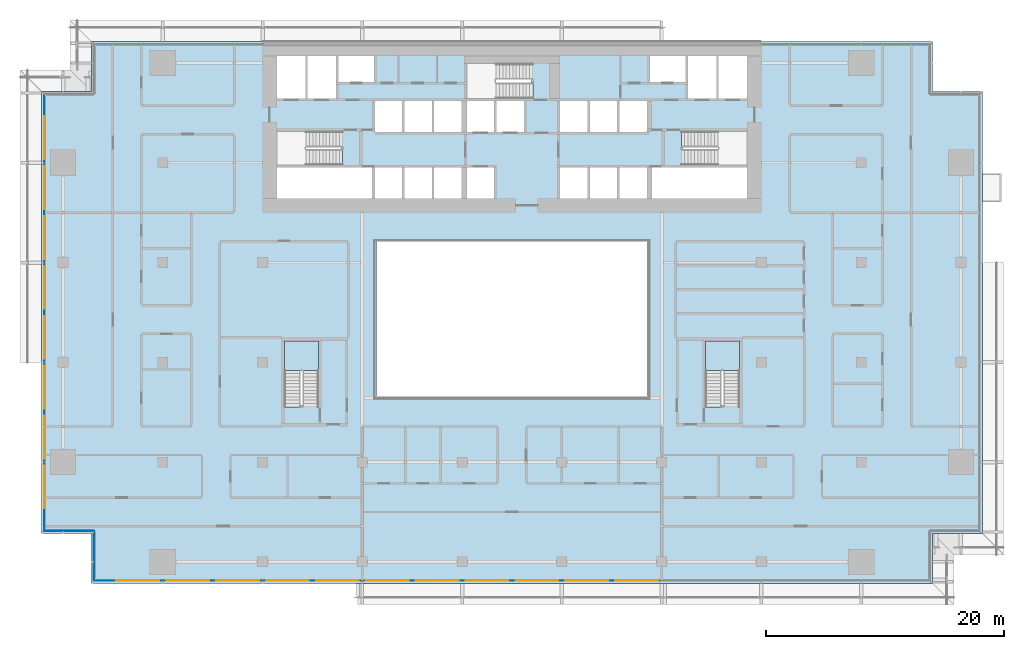
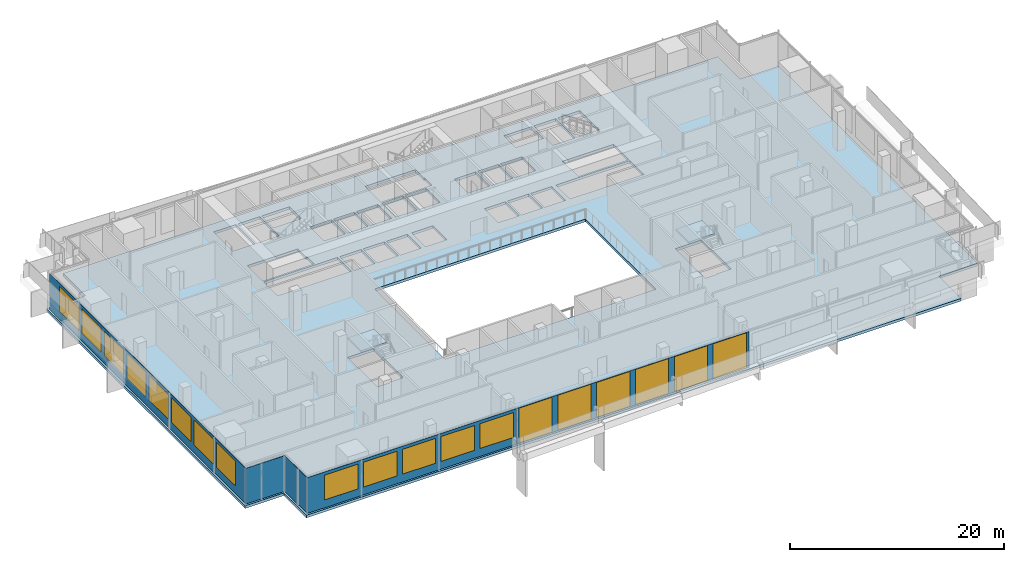
# One storey, part 11 of 24: 19 windows, 5 plates, 3 slabs, 19 openings, 6 elements without a shape of their own.
"""IFC4 building model written with IfcOpenShell, lengths in metres."""

from ifc_helpers import new_model, si_unit, direction, frame, frame_2d, origin, place, context, subcontext, project, spatial, polyline, rectangle, outline, extrude, material, layer, layer_set, type_object, element, fill, aggregate, save


model = new_model("IFC4")

# Units and contexts
model_context = context("Model", 3, precision=1e-05, world=origin(), true_north=direction((0.0, 1.0)))
body_context = subcontext(model_context, "Body", "Model", "MODEL_VIEW")
ifc_project = project(units=[si_unit("LENGTHUNIT", "METRE"), si_unit("AREAUNIT", "SQUARE_METRE"), si_unit("VOLUMEUNIT", "CUBIC_METRE"), si_unit("PLANEANGLEUNIT", "RADIAN"), si_unit("MASSUNIT", "GRAM", prefix="KILO")], contexts=[model_context])

# Site, building, storey
site_placement = place(None, origin())
site = spatial("IfcSite", under=ifc_project, at=site_placement, CompositionType="ELEMENT")
building_placement = place(site_placement, origin())
building = spatial("IfcBuilding", under=site, at=building_placement, Name="Saffron Gate Tower", CompositionType="ELEMENT")
storey_placement = place(building_placement, frame((0.0, 0.0, 28.199951171875)))
storey = spatial("IfcBuildingStorey", under=building, at=storey_placement, Name="L05", CompositionType="ELEMENT", Elevation=28.199951171875)

# Curtain wall, plates, openings, windows
ifc_material_1 = material(Name="Aluminium, bronze anodised", Category="aluminium")
curtain_wall_type = type_object("IfcCurtainWallType", Name="CWS6 curtain wall tall storeys", PredefinedType="NOTDEFINED", material=ifc_material_1)
curtain_wall_1_placement = place(storey_placement, origin())
curtain_wall_1 = element("IfcCurtainWall", 1, at=curtain_wall_1_placement, inside=storey, type_object=curtain_wall_type, Name="CWS6 run 1", PredefinedType="NOTDEFINED")
ifc_material_2 = material(Name="Clear low-iron laminated glass", Category="glass")
ifc_layer_1 = layer(ifc_material_2, 0.028076171875)
ifc_layer_set_1 = layer_set([ifc_layer_1], Name="CWS6 clear glass")
plate_type_1 = type_object("IfcPlateType", Name="CWS6 clear glass", PredefinedType="CURTAIN_PANEL", material=ifc_layer_set_1)
plate_1_placement = place(storey_placement, frame((75.0400390625, 30.214111328125, 0.0), z_axis=(0.0, 0.0, 1.0), x_axis=(1.0, 0.0, 0.0)))
plate_1 = element("IfcPlate", 2, at=plate_1_placement, type_object=plate_type_1, Name="CWS6 clear glass panel", PredefinedType="CURTAIN_PANEL", context=body_context, shape_type="SweptSolid", body=[
    extrude(rectangle(XDim=25.119873046875, YDim=0.028076171875, at=frame_2d((12.56005859375, 0.0))), origin(), (0.0, 0.0, 1.0), 4.080078125),
])
opening_1_placement = place(plate_1_placement, frame((0.260009765625, 0.0, 0.050048828125)))
opening_1 = element("IfcOpeningElement", 3, at=opening_1_placement, cuts=plate_1, Name="Opening WA", PredefinedType="OPENING", context=body_context, shape_type="SweptSolid", body=[
    extrude(rectangle(XDim=3.60009765625, YDim=3.97998046875, at=frame_2d((1.800048828125, 1.989990234375))), frame((0.0, 0.02392578125, 0.0), z_axis=(0.0, -1.0, 0.0), x_axis=(1.0, 0.0, 0.0)), (0.0, 0.0, 1.0), 0.048095703125),
])
opening_2_placement = place(plate_1_placement, frame((4.4599609375, 0.0, 0.050048828125)))
opening_2 = element("IfcOpeningElement", 4, at=opening_2_placement, cuts=plate_1, Name="Opening WA", PredefinedType="OPENING", context=body_context, shape_type="SweptSolid", body=[
    extrude(rectangle(XDim=3.60009765625, YDim=3.97998046875, at=frame_2d((1.800048828125, 1.989990234375))), frame((0.0, 0.02392578125, 0.0), z_axis=(0.0, -1.0, 0.0), x_axis=(1.0, 0.0, 0.0)), (0.0, 0.0, 1.0), 0.048095703125),
])
opening_3_placement = place(plate_1_placement, frame((8.659912109375, 0.0, 0.050048828125)))
opening_3 = element("IfcOpeningElement", 5, at=opening_3_placement, cuts=plate_1, Name="Opening WA", PredefinedType="OPENING", context=body_context, shape_type="SweptSolid", body=[
    extrude(rectangle(XDim=3.60009765625, YDim=3.97998046875, at=frame_2d((1.800048828125, 1.989990234375))), frame((0.0, 0.02392578125, 0.0), z_axis=(0.0, -1.0, 0.0), x_axis=(1.0, 0.0, 0.0)), (0.0, 0.0, 1.0), 0.048095703125),
])
opening_4_placement = place(plate_1_placement, frame((12.860107421875, 0.0, 0.050048828125)))
opening_4 = element("IfcOpeningElement", 6, at=opening_4_placement, cuts=plate_1, Name="Opening WA", PredefinedType="OPENING", context=body_context, shape_type="SweptSolid", body=[
    extrude(rectangle(XDim=3.60009765625, YDim=3.97998046875, at=frame_2d((1.800048828125, 1.989990234375))), frame((0.0, 0.02392578125, 0.0), z_axis=(0.0, -1.0, 0.0), x_axis=(1.0, 0.0, 0.0)), (0.0, 0.0, 1.0), 0.048095703125),
])
opening_5_placement = place(plate_1_placement, frame((17.06005859375, 0.0, 0.050048828125)))
opening_5 = element("IfcOpeningElement", 7, at=opening_5_placement, cuts=plate_1, Name="Opening WA", PredefinedType="OPENING", context=body_context, shape_type="SweptSolid", body=[
    extrude(rectangle(XDim=3.60009765625, YDim=3.97998046875, at=frame_2d((1.800048828125, 1.989990234375))), frame((0.0, 0.02392578125, 0.0), z_axis=(0.0, -1.0, 0.0), x_axis=(1.0, 0.0, 0.0)), (0.0, 0.0, 1.0), 0.048095703125),
])
opening_6_placement = place(plate_1_placement, frame((21.260009765625, 0.0, 0.050048828125)))
opening_6 = element("IfcOpeningElement", 8, at=opening_6_placement, cuts=plate_1, Name="Opening WA", PredefinedType="OPENING", context=body_context, shape_type="SweptSolid", body=[
    extrude(rectangle(XDim=3.60009765625, YDim=3.97998046875, at=frame_2d((1.800048828125, 1.989990234375))), frame((0.0, 0.02392578125, 0.0), z_axis=(0.0, -1.0, 0.0), x_axis=(1.0, 0.0, 0.0)), (0.0, 0.0, 1.0), 0.048095703125),
])
ifc_material_3 = material(Name="Clear low-iron laminated glass in bronze frame", Category="glass")
ifc_layer_2 = layer(ifc_material_3, 0.06005859375)
ifc_layer_set_2 = layer_set([ifc_layer_2], Name="WA operable atrium unit 3600x3980")
window_type_1 = type_object("IfcWindowType", Name="WA operable atrium unit 3600x3980", PartitioningType="DOUBLE_PANEL_HORIZONTAL", PredefinedType="WINDOW", material=ifc_layer_set_2)
window_1_placement = place(opening_1_placement, origin())
window_1 = element("IfcWindow", 9, at=window_1_placement, type_object=window_type_1, Name="WA operable atrium unit", OverallHeight=3.97998046875, OverallWidth=3.60009765625, PartitioningType="SINGLE_PANEL", PredefinedType="WINDOW", context=body_context, shape_type="SweptSolid", body=[
    extrude(rectangle(XDim=3.60009765625, YDim=3.97998046875, at=frame_2d((1.800048828125, 1.989990234375))), frame((0.0, 0.013671875, 0.0), z_axis=(0.0, -1.0, 0.0), x_axis=(1.0, 0.0, 0.0)), (0.0, 0.0, 1.0), 0.027587890625),
])
fill(opening_1, window_1)
window_2_placement = place(opening_2_placement, origin())
window_2 = element("IfcWindow", 10, at=window_2_placement, type_object=window_type_1, Name="WA operable atrium unit", OverallHeight=3.97998046875, OverallWidth=3.60009765625, PartitioningType="SINGLE_PANEL", PredefinedType="WINDOW", context=body_context, shape_type="SweptSolid", body=[
    extrude(rectangle(XDim=3.60009765625, YDim=3.97998046875, at=frame_2d((1.800048828125, 1.989990234375))), frame((0.0, 0.013671875, 0.0), z_axis=(0.0, -1.0, 0.0), x_axis=(1.0, 0.0, 0.0)), (0.0, 0.0, 1.0), 0.027587890625),
])
fill(opening_2, window_2)
window_3_placement = place(opening_3_placement, origin())
window_3 = element("IfcWindow", 11, at=window_3_placement, type_object=window_type_1, Name="WA operable atrium unit", OverallHeight=3.97998046875, OverallWidth=3.60009765625, PartitioningType="SINGLE_PANEL", PredefinedType="WINDOW", context=body_context, shape_type="SweptSolid", body=[
    extrude(rectangle(XDim=3.60009765625, YDim=3.97998046875, at=frame_2d((1.800048828125, 1.989990234375))), frame((0.0, 0.013671875, 0.0), z_axis=(0.0, -1.0, 0.0), x_axis=(1.0, 0.0, 0.0)), (0.0, 0.0, 1.0), 0.027587890625),
])
fill(opening_3, window_3)
window_4_placement = place(opening_4_placement, origin())
window_4 = element("IfcWindow", 12, at=window_4_placement, type_object=window_type_1, Name="WA operable atrium unit", OverallHeight=3.97998046875, OverallWidth=3.60009765625, PartitioningType="SINGLE_PANEL", PredefinedType="WINDOW", context=body_context, shape_type="SweptSolid", body=[
    extrude(rectangle(XDim=3.60009765625, YDim=3.97998046875, at=frame_2d((1.800048828125, 1.989990234375))), frame((0.0, 0.013671875, 0.0), z_axis=(0.0, -1.0, 0.0), x_axis=(1.0, 0.0, 0.0)), (0.0, 0.0, 1.0), 0.027587890625),
])
fill(opening_4, window_4)
window_5_placement = place(opening_5_placement, origin())
window_5 = element("IfcWindow", 13, at=window_5_placement, type_object=window_type_1, Name="WA operable atrium unit", OverallHeight=3.97998046875, OverallWidth=3.60009765625, PartitioningType="SINGLE_PANEL", PredefinedType="WINDOW", context=body_context, shape_type="SweptSolid", body=[
    extrude(rectangle(XDim=3.60009765625, YDim=3.97998046875, at=frame_2d((1.800048828125, 1.989990234375))), frame((0.0, 0.013671875, 0.0), z_axis=(0.0, -1.0, 0.0), x_axis=(1.0, 0.0, 0.0)), (0.0, 0.0, 1.0), 0.027587890625),
])
fill(opening_5, window_5)
window_6_placement = place(opening_6_placement, origin())
window_6 = element("IfcWindow", 14, at=window_6_placement, type_object=window_type_1, Name="WA operable atrium unit", OverallHeight=3.97998046875, OverallWidth=3.60009765625, PartitioningType="SINGLE_PANEL", PredefinedType="WINDOW", context=body_context, shape_type="SweptSolid", body=[
    extrude(rectangle(XDim=3.60009765625, YDim=3.97998046875, at=frame_2d((1.800048828125, 1.989990234375))), frame((0.0, 0.013671875, 0.0), z_axis=(0.0, -1.0, 0.0), x_axis=(1.0, 0.0, 0.0)), (0.0, 0.0, 1.0), 0.027587890625),
])
fill(opening_6, window_6)
ifc_material_4 = material(Name="Fritted bronze-tinted laminated glass", Category="glass")
ifc_layer_3 = layer(ifc_material_4, 0.028076171875)
ifc_layer_set_3 = layer_set([ifc_layer_3], Name="CWS6 fixed glass")
plate_type_2 = type_object("IfcPlateType", Name="CWS6 fixed glass", PredefinedType="CURTAIN_PANEL", material=ifc_layer_set_3)
plate_2_placement = place(storey_placement, frame((52.427978515625, 30.214111328125, 0.0), z_axis=(0.0, 0.0, 1.0), x_axis=(1.0, 0.0, 0.0)))
plate_2 = element("IfcPlate", 15, at=plate_2_placement, type_object=plate_type_2, Name="CWS6 glass panel", PredefinedType="CURTAIN_PANEL", context=body_context, shape_type="SweptSolid", body=[
    extrude(rectangle(XDim=22.612060546875, YDim=0.028076171875, at=frame_2d((11.30615234375, 0.0))), origin(), (0.0, 0.0, 1.0), 4.080078125),
])
opening_7_placement = place(plate_2_placement, frame((1.8720703125, 0.0, 0.89990234375)))
opening_7 = element("IfcOpeningElement", 16, at=opening_7_placement, cuts=plate_2, Name="Opening W3", PredefinedType="OPENING", context=body_context, shape_type="SweptSolid", body=[
    extrude(rectangle(XDim=3.60009765625, YDim=2.830078125, at=frame_2d((1.800048828125, 1.4150390625))), frame((0.0, 0.02392578125, 0.0), z_axis=(0.0, -1.0, 0.0), x_axis=(1.0, 0.0, 0.0)), (0.0, 0.0, 1.0), 0.048095703125),
])
opening_8_placement = place(plate_2_placement, frame((6.072021484375, 0.0, 0.89990234375)))
opening_8 = element("IfcOpeningElement", 17, at=opening_8_placement, cuts=plate_2, Name="Opening W3", PredefinedType="OPENING", context=body_context, shape_type="SweptSolid", body=[
    extrude(rectangle(XDim=3.60009765625, YDim=2.830078125, at=frame_2d((1.800048828125, 1.4150390625))), frame((0.0, 0.02392578125, 0.0), z_axis=(0.0, -1.0, 0.0), x_axis=(1.0, 0.0, 0.0)), (0.0, 0.0, 1.0), 0.048095703125),
])
opening_9_placement = place(plate_2_placement, frame((10.27197265625, 0.0, 0.89990234375)))
opening_9 = element("IfcOpeningElement", 18, at=opening_9_placement, cuts=plate_2, Name="Opening W3", PredefinedType="OPENING", context=body_context, shape_type="SweptSolid", body=[
    extrude(rectangle(XDim=3.60009765625, YDim=2.830078125, at=frame_2d((1.800048828125, 1.4150390625))), frame((0.0, 0.02392578125, 0.0), z_axis=(0.0, -1.0, 0.0), x_axis=(1.0, 0.0, 0.0)), (0.0, 0.0, 1.0), 0.048095703125),
])
opening_10_placement = place(plate_2_placement, frame((14.471923828125, 0.0, 0.89990234375)))
opening_10 = element("IfcOpeningElement", 19, at=opening_10_placement, cuts=plate_2, Name="Opening W3", PredefinedType="OPENING", context=body_context, shape_type="SweptSolid", body=[
    extrude(rectangle(XDim=3.60009765625, YDim=2.830078125, at=frame_2d((1.800048828125, 1.4150390625))), frame((0.0, 0.02392578125, 0.0), z_axis=(0.0, -1.0, 0.0), x_axis=(1.0, 0.0, 0.0)), (0.0, 0.0, 1.0), 0.048095703125),
])
opening_11_placement = place(plate_2_placement, frame((18.672119140625, 0.0, 0.89990234375)))
opening_11 = element("IfcOpeningElement", 20, at=opening_11_placement, cuts=plate_2, Name="Opening W3", PredefinedType="OPENING", context=body_context, shape_type="SweptSolid", body=[
    extrude(rectangle(XDim=3.60009765625, YDim=2.830078125, at=frame_2d((1.800048828125, 1.4150390625))), frame((0.0, 0.02392578125, 0.0), z_axis=(0.0, -1.0, 0.0), x_axis=(1.0, 0.0, 0.0)), (0.0, 0.0, 1.0), 0.048095703125),
])
ifc_material_5 = material(Name="Fritted bronze-tinted laminated glass in bronze frame", Category="glass")
ifc_layer_4 = layer(ifc_material_5, 0.06005859375)
ifc_layer_set_4 = layer_set([ifc_layer_4], Name="W3 operable panel 3600x2830")
window_type_2 = type_object("IfcWindowType", Name="W3 operable panel 3600x2830", PartitioningType="DOUBLE_PANEL_HORIZONTAL", PredefinedType="WINDOW", material=ifc_layer_set_4)
window_7_placement = place(opening_7_placement, origin())
window_7 = element("IfcWindow", 21, at=window_7_placement, type_object=window_type_2, Name="W3 operable panel", OverallHeight=2.830078125, OverallWidth=3.60009765625, PartitioningType="SINGLE_PANEL", PredefinedType="WINDOW", context=body_context, shape_type="SweptSolid", body=[
    extrude(rectangle(XDim=3.60009765625, YDim=2.830078125, at=frame_2d((1.800048828125, 1.4150390625))), frame((0.0, 0.013671875, 0.0), z_axis=(0.0, -1.0, 0.0), x_axis=(1.0, 0.0, 0.0)), (0.0, 0.0, 1.0), 0.027587890625),
])
fill(opening_7, window_7)
window_8_placement = place(opening_8_placement, origin())
window_8 = element("IfcWindow", 22, at=window_8_placement, type_object=window_type_2, Name="W3 operable panel", OverallHeight=2.830078125, OverallWidth=3.60009765625, PartitioningType="SINGLE_PANEL", PredefinedType="WINDOW", context=body_context, shape_type="SweptSolid", body=[
    extrude(rectangle(XDim=3.60009765625, YDim=2.830078125, at=frame_2d((1.800048828125, 1.4150390625))), frame((0.0, 0.013671875, 0.0), z_axis=(0.0, -1.0, 0.0), x_axis=(1.0, 0.0, 0.0)), (0.0, 0.0, 1.0), 0.027587890625),
])
fill(opening_8, window_8)
window_9_placement = place(opening_9_placement, origin())
window_9 = element("IfcWindow", 23, at=window_9_placement, type_object=window_type_2, Name="W3 operable panel", OverallHeight=2.830078125, OverallWidth=3.60009765625, PartitioningType="SINGLE_PANEL", PredefinedType="WINDOW", context=body_context, shape_type="SweptSolid", body=[
    extrude(rectangle(XDim=3.60009765625, YDim=2.830078125, at=frame_2d((1.800048828125, 1.4150390625))), frame((0.0, 0.013671875, 0.0), z_axis=(0.0, -1.0, 0.0), x_axis=(1.0, 0.0, 0.0)), (0.0, 0.0, 1.0), 0.027587890625),
])
fill(opening_9, window_9)
window_10_placement = place(opening_10_placement, origin())
window_10 = element("IfcWindow", 24, at=window_10_placement, type_object=window_type_2, Name="W3 operable panel", OverallHeight=2.830078125, OverallWidth=3.60009765625, PartitioningType="SINGLE_PANEL", PredefinedType="WINDOW", context=body_context, shape_type="SweptSolid", body=[
    extrude(rectangle(XDim=3.60009765625, YDim=2.830078125, at=frame_2d((1.800048828125, 1.4150390625))), frame((0.0, 0.013671875, 0.0), z_axis=(0.0, -1.0, 0.0), x_axis=(1.0, 0.0, 0.0)), (0.0, 0.0, 1.0), 0.027587890625),
])
fill(opening_10, window_10)
window_11_placement = place(opening_11_placement, origin())
window_11 = element("IfcWindow", 25, at=window_11_placement, type_object=window_type_2, Name="W3 operable panel", OverallHeight=2.830078125, OverallWidth=3.60009765625, PartitioningType="SINGLE_PANEL", PredefinedType="WINDOW", context=body_context, shape_type="SweptSolid", body=[
    extrude(rectangle(XDim=3.60009765625, YDim=2.830078125, at=frame_2d((1.800048828125, 1.4150390625))), frame((0.0, 0.013671875, 0.0), z_axis=(0.0, -1.0, 0.0), x_axis=(1.0, 0.0, 0.0)), (0.0, 0.0, 1.0), 0.027587890625),
])
fill(opening_11, window_11)
aggregate(curtain_wall_1, [plate_2, plate_1, window_7, window_8, window_9, window_10, window_11, window_1, window_2, window_3, window_4, window_5, window_6])

# Curtain wall, plate, openings, windows
curtain_wall_2_placement = place(storey_placement, origin())
curtain_wall_2 = element("IfcCurtainWall", 26, at=curtain_wall_2_placement, inside=storey, type_object=curtain_wall_type, Name="CWS6 run 10", PredefinedType="NOTDEFINED")
plate_3_placement = place(storey_placement, frame((48.214111328125, 71.172119140625, 0.0), z_axis=(0.0, 0.0, 1.0), x_axis=(0.0, -1.0, 0.0)))
plate_3 = element("IfcPlate", 27, at=plate_3_placement, type_object=plate_type_2, Name="CWS6 glass panel", PredefinedType="CURTAIN_PANEL", context=body_context, shape_type="SweptSolid", body=[
    extrude(rectangle(XDim=36.744140625, YDim=0.028076171875, at=frame_2d((18.3720703125, 0.0))), origin(), (0.0, 0.0, 1.0), 4.080078125),
])
opening_12_placement = place(plate_3_placement, frame((1.8720703125, 0.0, 0.89990234375)))
opening_12 = element("IfcOpeningElement", 28, at=opening_12_placement, cuts=plate_3, Name="Opening W3", PredefinedType="OPENING", context=body_context, shape_type="SweptSolid", body=[
    extrude(rectangle(XDim=3.60009765625, YDim=2.830078125, at=frame_2d((1.800048828125, 1.4150390625))), frame((0.0, 0.02392578125, 0.0), z_axis=(0.0, -1.0, 0.0), x_axis=(1.0, 0.0, 0.0)), (0.0, 0.0, 1.0), 0.048095703125),
])
opening_13_placement = place(plate_3_placement, frame((6.072021484375, 0.0, 0.89990234375)))
opening_13 = element("IfcOpeningElement", 29, at=opening_13_placement, cuts=plate_3, Name="Opening W3", PredefinedType="OPENING", context=body_context, shape_type="SweptSolid", body=[
    extrude(rectangle(XDim=3.60009765625, YDim=2.830078125, at=frame_2d((1.800048828125, 1.4150390625))), frame((0.0, 0.02392578125, 0.0), z_axis=(0.0, -1.0, 0.0), x_axis=(1.0, 0.0, 0.0)), (0.0, 0.0, 1.0), 0.048095703125),
])
opening_14_placement = place(plate_3_placement, frame((10.27197265625, 0.0, 0.89990234375)))
opening_14 = element("IfcOpeningElement", 30, at=opening_14_placement, cuts=plate_3, Name="Opening W3", PredefinedType="OPENING", context=body_context, shape_type="SweptSolid", body=[
    extrude(rectangle(XDim=3.60009765625, YDim=2.830078125, at=frame_2d((1.800048828125, 1.4150390625))), frame((0.0, 0.02392578125, 0.0), z_axis=(0.0, -1.0, 0.0), x_axis=(1.0, 0.0, 0.0)), (0.0, 0.0, 1.0), 0.048095703125),
])
opening_15_placement = place(plate_3_placement, frame((14.471923828125, 0.0, 0.89990234375)))
opening_15 = element("IfcOpeningElement", 31, at=opening_15_placement, cuts=plate_3, Name="Opening W3", PredefinedType="OPENING", context=body_context, shape_type="SweptSolid", body=[
    extrude(rectangle(XDim=3.60009765625, YDim=2.830078125, at=frame_2d((1.800048828125, 1.4150390625))), frame((0.0, 0.02392578125, 0.0), z_axis=(0.0, -1.0, 0.0), x_axis=(1.0, 0.0, 0.0)), (0.0, 0.0, 1.0), 0.048095703125),
])
opening_16_placement = place(plate_3_placement, frame((18.672119140625, 0.0, 0.89990234375)))
opening_16 = element("IfcOpeningElement", 32, at=opening_16_placement, cuts=plate_3, Name="Opening W3", PredefinedType="OPENING", context=body_context, shape_type="SweptSolid", body=[
    extrude(rectangle(XDim=3.60009765625, YDim=2.830078125, at=frame_2d((1.800048828125, 1.4150390625))), frame((0.0, 0.02392578125, 0.0), z_axis=(0.0, -1.0, 0.0), x_axis=(1.0, 0.0, 0.0)), (0.0, 0.0, 1.0), 0.048095703125),
])
opening_17_placement = place(plate_3_placement, frame((22.8720703125, 0.0, 0.89990234375)))
opening_17 = element("IfcOpeningElement", 33, at=opening_17_placement, cuts=plate_3, Name="Opening W3", PredefinedType="OPENING", context=body_context, shape_type="SweptSolid", body=[
    extrude(rectangle(XDim=3.60009765625, YDim=2.830078125, at=frame_2d((1.800048828125, 1.4150390625))), frame((0.0, 0.02392578125, 0.0), z_axis=(0.0, -1.0, 0.0), x_axis=(1.0, 0.0, 0.0)), (0.0, 0.0, 1.0), 0.048095703125),
])
opening_18_placement = place(plate_3_placement, frame((27.072021484375, 0.0, 0.89990234375)))
opening_18 = element("IfcOpeningElement", 34, at=opening_18_placement, cuts=plate_3, Name="Opening W3", PredefinedType="OPENING", context=body_context, shape_type="SweptSolid", body=[
    extrude(rectangle(XDim=3.60009765625, YDim=2.830078125, at=frame_2d((1.800048828125, 1.4150390625))), frame((0.0, 0.02392578125, 0.0), z_axis=(0.0, -1.0, 0.0), x_axis=(1.0, 0.0, 0.0)), (0.0, 0.0, 1.0), 0.048095703125),
])
opening_19_placement = place(plate_3_placement, frame((31.27197265625, 0.0, 0.89990234375)))
opening_19 = element("IfcOpeningElement", 35, at=opening_19_placement, cuts=plate_3, Name="Opening W3", PredefinedType="OPENING", context=body_context, shape_type="SweptSolid", body=[
    extrude(rectangle(XDim=3.60009765625, YDim=2.830078125, at=frame_2d((1.800048828125, 1.4150390625))), frame((0.0, 0.02392578125, 0.0), z_axis=(0.0, -1.0, 0.0), x_axis=(1.0, 0.0, 0.0)), (0.0, 0.0, 1.0), 0.048095703125),
])
window_12_placement = place(opening_12_placement, origin())
window_12 = element("IfcWindow", 36, at=window_12_placement, type_object=window_type_2, Name="W3 operable panel", OverallHeight=2.830078125, OverallWidth=3.60009765625, PartitioningType="SINGLE_PANEL", PredefinedType="WINDOW", context=body_context, shape_type="SweptSolid", body=[
    extrude(rectangle(XDim=3.60009765625, YDim=2.830078125, at=frame_2d((1.800048828125, 1.4150390625))), frame((0.0, 0.013671875, 0.0), z_axis=(0.0, -1.0, 0.0), x_axis=(1.0, 0.0, 0.0)), (0.0, 0.0, 1.0), 0.027587890625),
])
fill(opening_12, window_12)
window_13_placement = place(opening_13_placement, origin())
window_13 = element("IfcWindow", 37, at=window_13_placement, type_object=window_type_2, Name="W3 operable panel", OverallHeight=2.830078125, OverallWidth=3.60009765625, PartitioningType="SINGLE_PANEL", PredefinedType="WINDOW", context=body_context, shape_type="SweptSolid", body=[
    extrude(rectangle(XDim=3.60009765625, YDim=2.830078125, at=frame_2d((1.800048828125, 1.4150390625))), frame((0.0, 0.013671875, 0.0), z_axis=(0.0, -1.0, 0.0), x_axis=(1.0, 0.0, 0.0)), (0.0, 0.0, 1.0), 0.027587890625),
])
fill(opening_13, window_13)
window_14_placement = place(opening_14_placement, origin())
window_14 = element("IfcWindow", 38, at=window_14_placement, type_object=window_type_2, Name="W3 operable panel", OverallHeight=2.830078125, OverallWidth=3.60009765625, PartitioningType="SINGLE_PANEL", PredefinedType="WINDOW", context=body_context, shape_type="SweptSolid", body=[
    extrude(rectangle(XDim=3.60009765625, YDim=2.830078125, at=frame_2d((1.800048828125, 1.4150390625))), frame((0.0, 0.013671875, 0.0), z_axis=(0.0, -1.0, 0.0), x_axis=(1.0, 0.0, 0.0)), (0.0, 0.0, 1.0), 0.027587890625),
])
fill(opening_14, window_14)
window_15_placement = place(opening_15_placement, origin())
window_15 = element("IfcWindow", 39, at=window_15_placement, type_object=window_type_2, Name="W3 operable panel", OverallHeight=2.830078125, OverallWidth=3.60009765625, PartitioningType="SINGLE_PANEL", PredefinedType="WINDOW", context=body_context, shape_type="SweptSolid", body=[
    extrude(rectangle(XDim=3.60009765625, YDim=2.830078125, at=frame_2d((1.800048828125, 1.4150390625))), frame((0.0, 0.013671875, 0.0), z_axis=(0.0, -1.0, 0.0), x_axis=(1.0, 0.0, 0.0)), (0.0, 0.0, 1.0), 0.027587890625),
])
fill(opening_15, window_15)
window_16_placement = place(opening_16_placement, origin())
window_16 = element("IfcWindow", 40, at=window_16_placement, type_object=window_type_2, Name="W3 operable panel", OverallHeight=2.830078125, OverallWidth=3.60009765625, PartitioningType="SINGLE_PANEL", PredefinedType="WINDOW", context=body_context, shape_type="SweptSolid", body=[
    extrude(rectangle(XDim=3.60009765625, YDim=2.830078125, at=frame_2d((1.800048828125, 1.4150390625))), frame((0.0, 0.013671875, 0.0), z_axis=(0.0, -1.0, 0.0), x_axis=(1.0, 0.0, 0.0)), (0.0, 0.0, 1.0), 0.027587890625),
])
fill(opening_16, window_16)
window_17_placement = place(opening_17_placement, origin())
window_17 = element("IfcWindow", 41, at=window_17_placement, type_object=window_type_2, Name="W3 operable panel", OverallHeight=2.830078125, OverallWidth=3.60009765625, PartitioningType="SINGLE_PANEL", PredefinedType="WINDOW", context=body_context, shape_type="SweptSolid", body=[
    extrude(rectangle(XDim=3.60009765625, YDim=2.830078125, at=frame_2d((1.800048828125, 1.4150390625))), frame((0.0, 0.013671875, 0.0), z_axis=(0.0, -1.0, 0.0), x_axis=(1.0, 0.0, 0.0)), (0.0, 0.0, 1.0), 0.027587890625),
])
fill(opening_17, window_17)
window_18_placement = place(opening_18_placement, origin())
window_18 = element("IfcWindow", 42, at=window_18_placement, type_object=window_type_2, Name="W3 operable panel", OverallHeight=2.830078125, OverallWidth=3.60009765625, PartitioningType="SINGLE_PANEL", PredefinedType="WINDOW", context=body_context, shape_type="SweptSolid", body=[
    extrude(rectangle(XDim=3.60009765625, YDim=2.830078125, at=frame_2d((1.800048828125, 1.4150390625))), frame((0.0, 0.013671875, 0.0), z_axis=(0.0, -1.0, 0.0), x_axis=(1.0, 0.0, 0.0)), (0.0, 0.0, 1.0), 0.027587890625),
])
fill(opening_18, window_18)
window_19_placement = place(opening_19_placement, origin())
window_19 = element("IfcWindow", 43, at=window_19_placement, type_object=window_type_2, Name="W3 operable panel", OverallHeight=2.830078125, OverallWidth=3.60009765625, PartitioningType="SINGLE_PANEL", PredefinedType="WINDOW", context=body_context, shape_type="SweptSolid", body=[
    extrude(rectangle(XDim=3.60009765625, YDim=2.830078125, at=frame_2d((1.800048828125, 1.4150390625))), frame((0.0, 0.013671875, 0.0), z_axis=(0.0, -1.0, 0.0), x_axis=(1.0, 0.0, 0.0)), (0.0, 0.0, 1.0), 0.027587890625),
])
fill(opening_19, window_19)
aggregate(curtain_wall_2, [plate_3, window_12, window_13, window_14, window_15, window_16, window_17, window_18, window_19])

# Curtain wall, plate
curtain_wall_3_placement = place(storey_placement, origin())
curtain_wall_3 = element("IfcCurtainWall", 44, at=curtain_wall_3_placement, inside=storey, type_object=curtain_wall_type, Name="CWS6 run 11", PredefinedType="NOTDEFINED")
plate_4_placement = place(storey_placement, frame((48.22802734375, 34.4140625, 0.0), z_axis=(0.0, 0.0, 1.0), x_axis=(1.0, 0.0, 0.0)))
plate_4 = element("IfcPlate", 45, at=plate_4_placement, type_object=plate_type_2, Name="CWS6 glass panel", PredefinedType="CURTAIN_PANEL", context=body_context, shape_type="SweptSolid", body=[
    extrude(rectangle(XDim=4.171875, YDim=0.028076171875, at=frame_2d((2.0859375, 0.0))), origin(), (0.0, 0.0, 1.0), 4.080078125),
])
aggregate(curtain_wall_3, [plate_4])

curtain_wall_4_placement = place(storey_placement, origin())
curtain_wall_4 = element("IfcCurtainWall", 46, at=curtain_wall_4_placement, inside=storey, type_object=curtain_wall_type, Name="CWS6 run 12", PredefinedType="NOTDEFINED")
plate_5_placement = place(storey_placement, frame((52.4140625, 34.39990234375, 0.0), z_axis=(0.0, 0.0, 1.0), x_axis=(0.0, -1.0, 0.0)))
plate_5 = element("IfcPlate", 47, at=plate_5_placement, type_object=plate_type_2, Name="CWS6 glass panel", PredefinedType="CURTAIN_PANEL", context=body_context, shape_type="SweptSolid", body=[
    extrude(rectangle(XDim=4.171875, YDim=0.028076171875, at=frame_2d((2.0859375, 0.0))), origin(), (0.0, 0.0, 1.0), 4.080078125),
])
aggregate(curtain_wall_4, [plate_5])

# Slab
ifc_material_6 = material(Name="Concrete C40", Category="concrete")
ifc_layer_5 = layer(ifc_material_6, 0.300048828125)
ifc_layer_set_5 = layer_set([ifc_layer_5], Name="S3 FLOOR SLAB 300 CONCRETE C40")
slab_type_1 = type_object("IfcSlabType", Name="S3 FLOOR SLAB 300 CONCRETE C40", PredefinedType="FLOOR", material=ifc_layer_set_5)
slab_1_placement = place(storey_placement, frame((0.0, 0.0, -0.300048828125)))
element("IfcSlab", 48, at=slab_1_placement, inside=storey, type_object=slab_type_1, Name="S3 FLOOR SLAB", PredefinedType="FLOOR", context=body_context, shape_type="SweptSolid", body=[
    extrude(outline(polyline([(48.0, 34.199951171875), (52.199951171875, 34.199951171875), (52.199951171875, 30.0), (123.0, 30.0), (123.0, 34.199951171875), (127.199951171875, 34.199951171875), (127.199951171875, 71.39990234375), (123.0, 71.39990234375), (123.0, 75.60009765625), (52.199951171875, 75.60009765625), (52.199951171875, 71.39990234375), (48.0, 71.39990234375), (48.0, 34.199951171875)]), holes=[polyline([(67.800048828125, 62.39990234375), (67.800048828125, 65.0), (75.800048828125, 65.0), (75.800048828125, 62.39990234375), (67.800048828125, 62.39990234375)]), polyline([(67.800048828125, 65.199951171875), (67.800048828125, 68.050048828125), (73.25, 68.050048828125), (73.25, 66.550048828125), (73.34912109375, 66.550048828125), (73.34912109375, 65.199951171875), (67.800048828125, 65.199951171875)]), polyline([(67.800048828125, 70.800048828125), (67.800048828125, 74.39990234375), (70.199951171875, 74.39990234375), (70.199951171875, 70.800048828125), (67.800048828125, 70.800048828125)]), polyline([(68.449951171875, 44.85107421875), (68.449951171875, 50.39990234375), (71.300048828125, 50.39990234375), (71.300048828125, 44.949951171875), (69.800048828125, 44.949951171875), (69.800048828125, 44.85107421875), (68.449951171875, 44.85107421875)]), polyline([(70.39990234375, 70.800048828125), (70.39990234375, 74.39990234375), (72.800048828125, 74.39990234375), (72.800048828125, 70.800048828125), (70.39990234375, 70.800048828125)]), polyline([(73.0, 72.199951171875), (73.0, 74.39990234375), (76.0, 74.39990234375), (76.0, 72.199951171875), (73.0, 72.199951171875)]), polyline([(76.050048828125, 62.39990234375), (76.050048828125, 65.0), (78.35009765625, 65.0), (78.35009765625, 62.39990234375), (76.050048828125, 62.39990234375)]), polyline([(76.050048828125, 68.0), (76.050048828125, 70.60009765625), (78.35009765625, 70.60009765625), (78.35009765625, 68.0), (76.050048828125, 68.0)]), polyline([(76.199951171875, 45.60009765625), (76.199951171875, 58.800048828125), (99.0, 58.800048828125), (99.0, 45.60009765625), (76.199951171875, 45.60009765625)]), polyline([(78.550048828125, 62.39990234375), (78.550048828125, 65.0), (80.85009765625, 65.0), (80.85009765625, 62.39990234375), (78.550048828125, 62.39990234375)]), polyline([(78.550048828125, 68.0), (78.550048828125, 70.60009765625), (80.85009765625, 70.60009765625), (80.85009765625, 68.0), (78.550048828125, 68.0)]), polyline([(81.050048828125, 62.39990234375), (81.050048828125, 65.0), (83.35009765625, 65.0), (83.35009765625, 62.39990234375), (81.050048828125, 62.39990234375)]), polyline([(81.050048828125, 68.0), (81.050048828125, 70.60009765625), (83.35009765625, 70.60009765625), (83.35009765625, 68.0), (81.050048828125, 68.0)]), polyline([(83.800048828125, 62.39990234375), (83.800048828125, 65.0), (86.10009765625, 65.0), (86.10009765625, 62.39990234375), (83.800048828125, 62.39990234375)]), polyline([(83.800048828125, 68.0), (83.800048828125, 70.60009765625), (86.10009765625, 70.60009765625), (86.10009765625, 68.0), (83.800048828125, 68.0)]), polyline([(83.800048828125, 70.800048828125), (83.800048828125, 73.75), (89.25, 73.75), (89.25, 72.14990234375), (89.34912109375, 72.14990234375), (89.34912109375, 70.800048828125), (83.800048828125, 70.800048828125)]), polyline([(86.300048828125, 68.0), (86.300048828125, 70.60009765625), (88.60009765625, 70.60009765625), (88.60009765625, 68.0), (86.300048828125, 68.0)]), polyline([(91.64990234375, 62.39990234375), (91.64990234375, 65.0), (93.949951171875, 65.0), (93.949951171875, 62.39990234375), (91.64990234375, 62.39990234375)]), polyline([(91.64990234375, 68.0), (91.64990234375, 70.60009765625), (93.949951171875, 70.60009765625), (93.949951171875, 68.0), (91.64990234375, 68.0)]), polyline([(94.14990234375, 62.39990234375), (94.14990234375, 65.0), (96.449951171875, 65.0), (96.449951171875, 62.39990234375), (94.14990234375, 62.39990234375)]), polyline([(94.14990234375, 68.0), (94.14990234375, 70.60009765625), (96.449951171875, 70.60009765625), (96.449951171875, 68.0), (94.14990234375, 68.0)]), polyline([(96.64990234375, 62.39990234375), (96.64990234375, 65.0), (98.949951171875, 65.0), (98.949951171875, 62.39990234375), (96.64990234375, 62.39990234375)]), polyline([(96.64990234375, 68.0), (96.64990234375, 70.60009765625), (98.949951171875, 70.60009765625), (98.949951171875, 68.0), (96.64990234375, 68.0)]), polyline([(99.199951171875, 72.199951171875), (99.199951171875, 74.39990234375), (102.199951171875, 74.39990234375), (102.199951171875, 72.199951171875), (99.199951171875, 72.199951171875)]), polyline([(99.39990234375, 62.39990234375), (99.39990234375, 65.0), (107.39990234375, 65.0), (107.39990234375, 62.39990234375), (99.39990234375, 62.39990234375)]), polyline([(101.85107421875, 66.699951171875), (101.85107421875, 68.050048828125), (107.39990234375, 68.050048828125), (107.39990234375, 65.199951171875), (101.949951171875, 65.199951171875), (101.949951171875, 66.699951171875), (101.85107421875, 66.699951171875)]), polyline([(102.39990234375, 70.800048828125), (102.39990234375, 74.39990234375), (104.800048828125, 74.39990234375), (104.800048828125, 70.800048828125), (102.39990234375, 70.800048828125)]), polyline([(103.89990234375, 44.85107421875), (103.89990234375, 50.39990234375), (106.75, 50.39990234375), (106.75, 44.949951171875), (105.25, 44.949951171875), (105.25, 44.85107421875), (103.89990234375, 44.85107421875)]), polyline([(105.0, 70.800048828125), (105.0, 74.39990234375), (107.39990234375, 74.39990234375), (107.39990234375, 70.800048828125), (105.0, 70.800048828125)])]), origin(), (0.0, 0.0, 1.0), 0.300048828125),
])

# Stair, slab
stair_type = type_object("IfcStairType", Name="ST6 Stair 1350 wide, 24 risers of 188", PredefinedType="HALF_TURN_STAIR", material=ifc_material_6)
stair_1_placement = place(storey_placement, origin())
stair_1 = element("IfcStair", 49, at=stair_1_placement, inside=storey, type_object=stair_type, Name="L05 Exit stair D", PredefinedType="HALF_TURN_STAIR")
ifc_layer_6 = layer(ifc_material_6, 0.199951171875)
ifc_layer_set_6 = layer_set([ifc_layer_6], Name="SL1 Stair landing 200")
slab_type_2 = type_object("IfcSlabType", Name="SL1 Stair landing 200", PredefinedType="LANDING", material=ifc_layer_set_6)
slab_2_placement = place(storey_placement, frame((0.0, 0.0, 2.050048828125)))
slab_2 = element("IfcSlab", 50, at=slab_2_placement, type_object=slab_type_2, Name="ST-D landing 1", PredefinedType="LANDING", context=body_context, shape_type="SweptSolid", body=[
    extrude(outline(polyline([(71.300048828125, 47.929931640625), (71.300048828125, 50.39990234375), (68.449951171875, 50.39990234375), (68.449951171875, 47.929931640625), (71.300048828125, 47.929931640625)])), origin(), (0.0, 0.0, 1.0), 0.199951171875),
])
aggregate(stair_1, [slab_2])

stair_2_placement = place(storey_placement, origin())
stair_2 = element("IfcStair", 51, at=stair_2_placement, inside=storey, type_object=stair_type, Name="L05 Exit stair E", PredefinedType="HALF_TURN_STAIR")
slab_3_placement = place(storey_placement, frame((0.0, 0.0, 2.050048828125)))
slab_3 = element("IfcSlab", 52, at=slab_3_placement, type_object=slab_type_2, Name="ST-E landing 1", PredefinedType="LANDING", context=body_context, shape_type="SweptSolid", body=[
    extrude(outline(polyline([(106.75, 47.929931640625), (106.75, 50.39990234375), (103.89990234375, 50.39990234375), (103.89990234375, 47.929931640625), (106.75, 47.929931640625)])), origin(), (0.0, 0.0, 1.0), 0.199951171875),
])
aggregate(stair_2, [slab_3])

save(model, "model.ifc")
